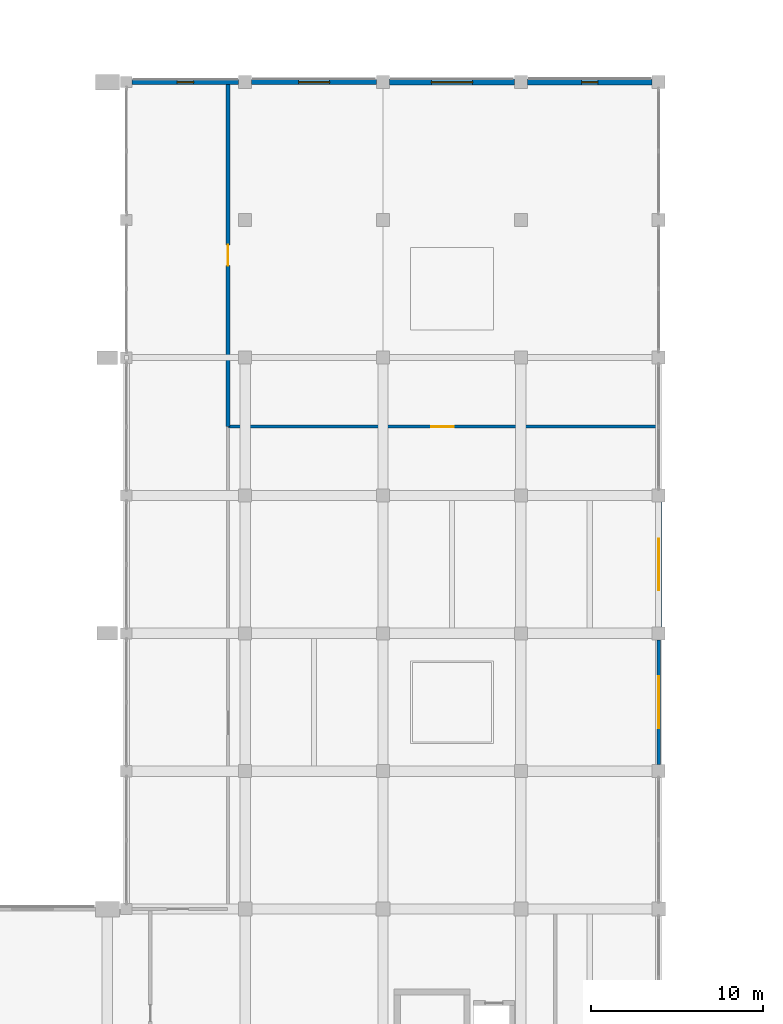
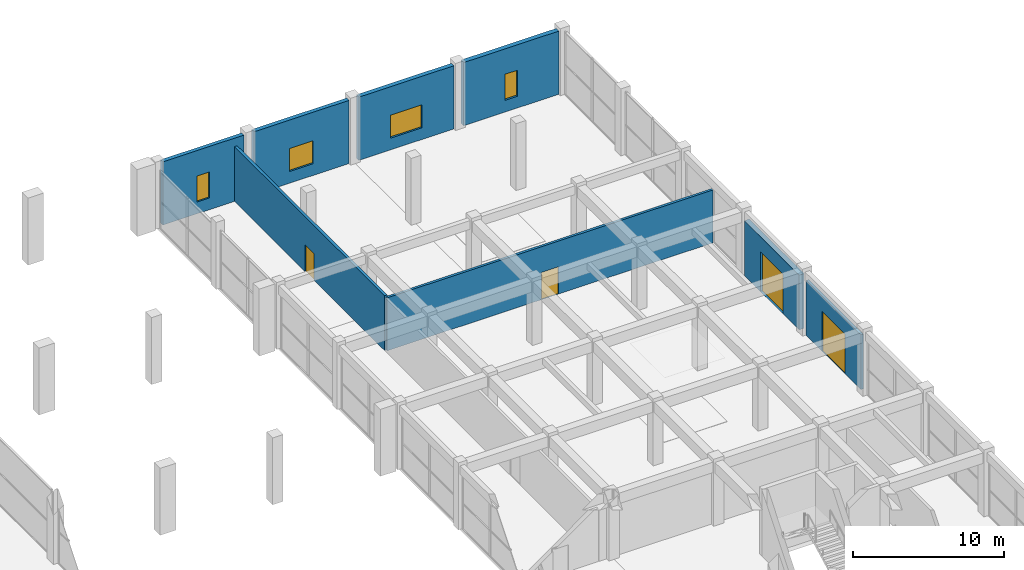
# One storey, part 62 of 86: 8 walls, 4 doors, 4 windows, 8 openings.
"""IFC4 building model written with IfcOpenShell, lengths in metres."""

from ifc_helpers import new_model, si_unit, direction, frame, frame_2d, origin, place, context, subcontext, project, spatial, rectangle, extrude, material, layer, layer_set, type_object, element, fill, save


model = new_model("IFC4")

# Units and contexts
model_context = context("Model", 3, precision=1e-05, world=origin(), true_north=direction((0.0, 1.0)))
body_context = subcontext(model_context, "Body", "Model", "MODEL_VIEW")
ifc_project = project(units=[si_unit("LENGTHUNIT", "METRE"), si_unit("AREAUNIT", "SQUARE_METRE"), si_unit("VOLUMEUNIT", "CUBIC_METRE"), si_unit("PLANEANGLEUNIT", "RADIAN"), si_unit("MASSUNIT", "GRAM", prefix="KILO")], contexts=[model_context])

# Site, building, storey
site_placement = place(None, origin())
site = spatial("IfcSite", under=ifc_project, at=site_placement, CompositionType="ELEMENT")
building_placement = place(site_placement, origin())
building = spatial("IfcBuilding", under=site, at=building_placement, Name="Kenh Van Central Station", CompositionType="ELEMENT")
storey_placement = place(building_placement, origin())
storey = spatial("IfcBuildingStorey", under=building, at=storey_placement, Name="L00", CompositionType="ELEMENT", Elevation=0.0)

# Wall, opening, door
ifc_material_1 = material(Name="Lightweight acoustic masonry blockwork", Category="masonry")
ifc_layer_1 = layer(ifc_material_1, 0.18994140625, Name="Lightweight acoustic masonry blockwork")
ifc_layer_set_1 = layer_set([ifc_layer_1], Name="Lightweight acoustic masonry blockwork")
wall_type_1 = type_object("IfcWallType", Name="WL-COMP-190", PredefinedType="SOLIDWALL", material=ifc_layer_set_1)
wall_1_placement = place(storey_placement, frame((151.02001953125, 92.0, 0.0), z_axis=(0.0, 0.0, 1.0), x_axis=(1.0, 0.0, 0.0)))
wall_1 = element("IfcWall", 1, at=wall_1_placement, inside=storey, type_object=wall_type_1, Name="L00 interior wall 0095", PredefinedType="SOLIDWALL", context=body_context, shape_type="SweptSolid", body=[
    extrude(rectangle(XDim=24.85986328125, YDim=0.18994140625, at=frame_2d((12.429931640625, 0.0))), origin(), (0.0, 0.0, 1.0), 4.27001953125),
])
opening_1_placement = place(wall_1_placement, frame((11.780029296875, 0.0, 0.0)))
opening_1 = element("IfcOpeningElement", 2, at=opening_1_placement, cuts=wall_1, Name="Opening D-FD60P", PredefinedType="OPENING", context=body_context, shape_type="SweptSolid", body=[
    extrude(rectangle(XDim=1.300048828125, YDim=2.199951171875, at=frame_2d((0.64990234375, 1.10009765625))), frame((0.0, 0.10498046875, 0.0), z_axis=(0.0, -1.0, 0.0), x_axis=(1.0, 0.0, 0.0)), (0.0, 0.0, 1.0), 0.2099609375),
])
ifc_material_2 = material(Name="Champagne anodised aluminium", Category="aluminium")
door_type_1 = type_object("IfcDoorType", Name="DR-FIRE-1300x2200", OperationType="NOTDEFINED", PredefinedType="DOOR", material=ifc_material_2)
door_1_placement = place(opening_1_placement, origin())
door_1 = element("IfcDoor", 3, at=door_1_placement, inside=storey, type_object=door_type_1, Name="L00 interior door 0052", OperationType="SINGLE_SWING_LEFT", OverallHeight=2.199951171875, OverallWidth=1.300048828125, PredefinedType="DOOR", context=body_context, shape_type="SweptSolid", body=[
    extrude(rectangle(XDim=1.300048828125, YDim=2.199951171875, at=frame_2d((0.64990234375, 1.10009765625))), frame((0.0, 0.02490234375, 0.0), z_axis=(0.0, -1.0, 0.0), x_axis=(1.0, 0.0, 0.0)), (0.0, 0.0, 1.0), 0.050048828125),
])
fill(opening_1, door_1)

ifc_layer_2 = layer(ifc_material_1, 0.2099609375, Name="Lightweight acoustic masonry blockwork")
ifc_layer_set_2 = layer_set([ifc_layer_2], Name="Lightweight acoustic masonry blockwork")
wall_type_2 = type_object("IfcWallType", Name="WL-COMP-210", PredefinedType="SOLIDWALL", material=ifc_layer_set_2)
wall_2_placement = place(storey_placement, frame((151.0, 92.02001953125, 0.0), z_axis=(0.0, 0.0, 1.0), x_axis=(0.0, 1.0, 0.0)))
wall_2 = element("IfcWall", 4, at=wall_2_placement, inside=storey, type_object=wall_type_2, Name="L00 interior wall 0094", PredefinedType="SOLIDWALL", context=body_context, shape_type="SweptSolid", body=[
    extrude(rectangle(XDim=19.85986328125, YDim=0.2099609375, at=frame_2d((9.929931640625, 0.0))), origin(), (0.0, 0.0, 1.0), 4.419921875),
])
opening_2_placement = place(wall_2_placement, frame((9.330078125, 0.0, 0.0)))
opening_2 = element("IfcOpeningElement", 5, at=opening_2_placement, cuts=wall_2, Name="Opening D-FD60S", PredefinedType="OPENING", context=body_context, shape_type="SweptSolid", body=[
    extrude(rectangle(XDim=1.199951171875, YDim=2.14990234375, at=frame_2d((0.60009765625, 1.074951171875))), frame((0.0, 0.114990234375, 0.0), z_axis=(0.0, -1.0, 0.0), x_axis=(1.0, 0.0, 0.0)), (0.0, 0.0, 1.0), 0.22998046875),
])
door_type_2 = type_object("IfcDoorType", Name="DR-FIRE-1200x2150", OperationType="NOTDEFINED", PredefinedType="DOOR", material=ifc_material_2)
door_2_placement = place(opening_2_placement, origin())
door_2 = element("IfcDoor", 6, at=door_2_placement, inside=storey, type_object=door_type_2, Name="L00 interior door 0051", OperationType="SINGLE_SWING_RIGHT", OverallHeight=2.14990234375, OverallWidth=1.199951171875, PredefinedType="DOOR", context=body_context, shape_type="SweptSolid", body=[
    extrude(rectangle(XDim=1.199951171875, YDim=2.14990234375, at=frame_2d((0.60009765625, 1.074951171875))), frame((0.0, 0.02490234375, 0.0), z_axis=(0.0, -1.0, 0.0), x_axis=(1.0, 0.0, 0.0)), (0.0, 0.0, 1.0), 0.050048828125),
])
fill(opening_2, door_2)

# Wall, opening, window
ifc_material_3 = material(Name="Saigon buff sandstone and terracotta masonry", Category="masonry")
ifc_layer_3 = layer(ifc_material_3, 0.2900390625, Name="Saigon buff sandstone and terracotta masonry")
ifc_layer_set_3 = layer_set([ifc_layer_3], Name="Saigon buff sandstone and terracotta masonry")
wall_type_3 = type_object("IfcWallType", Name="WL-EXT-290", PredefinedType="STANDARD", material=ifc_layer_set_3)
wall_3_placement = place(storey_placement, frame((151.625, 112.0, 0.0), z_axis=(0.0, 0.0, 1.0), x_axis=(-1.0, 0.0, 0.0)))
wall_3 = element("IfcWall", 7, at=wall_3_placement, inside=storey, type_object=wall_type_3, Name="L00 exterior wall 044", PredefinedType="STANDARD", context=body_context, shape_type="SweptSolid", body=[
    extrude(rectangle(XDim=6.199951171875, YDim=0.2900390625, at=frame_2d((3.10009765625, 0.0))), origin(), (0.0, 0.0, 1.0), 5.10009765625),
])
opening_3_placement = place(wall_3_placement, frame((2.625, 0.0, 0.949951171875)))
opening_3 = element("IfcOpeningElement", 8, at=opening_3_placement, cuts=wall_3, Name="Opening WN-24", PredefinedType="OPENING", context=body_context, shape_type="SweptSolid", body=[
    extrude(rectangle(XDim=0.949951171875, YDim=2.10009765625, at=frame_2d((0.47509765625, 1.050048828125))), frame((0.0, 0.155029296875, 0.0), z_axis=(0.0, -1.0, 0.0), x_axis=(1.0, 0.0, 0.0)), (0.0, 0.0, 1.0), 0.31005859375),
])
ifc_material_4 = material(Name="Double-glazed low-E laminated solar glass", Category="glass")
window_type_1 = type_object("IfcWindowType", Name="WN-SLOT-950x2100", PartitioningType="SINGLE_PANEL", PredefinedType="WINDOW", material=ifc_material_4)
window_1_placement = place(opening_3_placement, origin())
window_1 = element("IfcWindow", 9, at=window_1_placement, inside=storey, type_object=window_type_1, Name="L00 window 016", OverallHeight=2.10009765625, OverallWidth=0.949951171875, PartitioningType="SINGLE_PANEL", PredefinedType="WINDOW", context=body_context, shape_type="SweptSolid", body=[
    extrude(rectangle(XDim=0.949951171875, YDim=2.10009765625, at=frame_2d((0.47509765625, 1.050048828125))), frame((0.0, 0.030029296875, 0.0), z_axis=(0.0, -1.0, 0.0), x_axis=(1.0, 0.0, 0.0)), (0.0, 0.0, 1.0), 0.06005859375),
])
fill(opening_3, window_1)

ifc_layer_4 = layer(ifc_material_3, 0.31005859375, Name="Saigon buff sandstone and terracotta masonry")
ifc_layer_set_4 = layer_set([ifc_layer_4], Name="Saigon buff sandstone and terracotta masonry")
wall_type_4 = type_object("IfcWallType", Name="WL-EXT-310", PredefinedType="STANDARD", material=ifc_layer_set_4)
wall_4_placement = place(storey_placement, frame((159.625, 112.0, 0.0), z_axis=(0.0, 0.0, 1.0), x_axis=(-1.0, 0.0, 0.0)))
wall_4 = element("IfcWall", 10, at=wall_4_placement, inside=storey, type_object=wall_type_4, Name="L00 exterior wall 043", PredefinedType="STANDARD", context=body_context, shape_type="SweptSolid", body=[
    extrude(rectangle(XDim=7.25, YDim=0.31005859375, at=frame_2d((3.625, 0.0))), origin(), (0.0, 0.0, 1.0), 5.10009765625),
])
opening_4_placement = place(wall_4_placement, frame((2.72509765625, 0.0, 0.949951171875)))
opening_4 = element("IfcOpeningElement", 11, at=opening_4_placement, cuts=wall_4, Name="Opening WN-13", PredefinedType="OPENING", context=body_context, shape_type="SweptSolid", body=[
    extrude(rectangle(XDim=1.800048828125, YDim=1.85009765625, at=frame_2d((0.89990234375, 0.925048828125))), frame((0.0, 0.1650390625, 0.0), z_axis=(0.0, -1.0, 0.0), x_axis=(1.0, 0.0, 0.0)), (0.0, 0.0, 1.0), 0.330078125),
])
window_type_2 = type_object("IfcWindowType", Name="WN-OP00-1800x1850", PartitioningType="DOUBLE_PANEL_VERTICAL", PredefinedType="WINDOW", material=ifc_material_4)
window_2_placement = place(opening_4_placement, origin())
window_2 = element("IfcWindow", 12, at=window_2_placement, inside=storey, type_object=window_type_2, Name="L00 window 015", OverallHeight=1.85009765625, OverallWidth=1.800048828125, PartitioningType="SINGLE_PANEL", PredefinedType="WINDOW", context=body_context, shape_type="SweptSolid", body=[
    extrude(rectangle(XDim=1.800048828125, YDim=1.85009765625, at=frame_2d((0.89990234375, 0.925048828125))), frame((0.0, 0.030029296875, 0.0), z_axis=(0.0, -1.0, 0.0), x_axis=(1.0, 0.0, 0.0)), (0.0, 0.0, 1.0), 0.06005859375),
])
fill(opening_4, window_2)

ifc_layer_5 = layer(ifc_material_3, 0.330078125, Name="Saigon buff sandstone and terracotta masonry")
ifc_layer_set_5 = layer_set([ifc_layer_5], Name="Saigon buff sandstone and terracotta masonry")
wall_type_5 = type_object("IfcWallType", Name="WL-EXT-330", PredefinedType="STANDARD", material=ifc_layer_set_5)
wall_5_placement = place(storey_placement, frame((167.625, 112.0, 0.0), z_axis=(0.0, 0.0, 1.0), x_axis=(-1.0, 0.0, 0.0)))
wall_5 = element("IfcWall", 13, at=wall_5_placement, inside=storey, type_object=wall_type_5, Name="L00 exterior wall 042", PredefinedType="STANDARD", context=body_context, shape_type="SweptSolid", body=[
    extrude(rectangle(XDim=7.25, YDim=0.330078125, at=frame_2d((3.625, 0.0))), origin(), (0.0, 0.0, 1.0), 5.10009765625),
])
opening_5_placement = place(wall_5_placement, frame((2.425048828125, 0.0, 0.949951171875)))
opening_5 = element("IfcOpeningElement", 14, at=opening_5_placement, cuts=wall_5, Name="Opening WN-12", PredefinedType="OPENING", context=body_context, shape_type="SweptSolid", body=[
    extrude(rectangle(XDim=2.39990234375, YDim=1.85009765625, at=frame_2d((1.199951171875, 0.925048828125))), frame((0.0, 0.175048828125, 0.0), z_axis=(0.0, -1.0, 0.0), x_axis=(1.0, 0.0, 0.0)), (0.0, 0.0, 1.0), 0.35009765625),
])
window_type_3 = type_object("IfcWindowType", Name="WN-OP00-2400x1850", PartitioningType="DOUBLE_PANEL_VERTICAL", PredefinedType="WINDOW", material=ifc_material_4)
window_3_placement = place(opening_5_placement, origin())
window_3 = element("IfcWindow", 15, at=window_3_placement, inside=storey, type_object=window_type_3, Name="L00 window 014", OverallHeight=1.85009765625, OverallWidth=2.39990234375, PartitioningType="SINGLE_PANEL", PredefinedType="WINDOW", context=body_context, shape_type="SweptSolid", body=[
    extrude(rectangle(XDim=2.39990234375, YDim=1.85009765625, at=frame_2d((1.199951171875, 0.925048828125))), frame((0.0, 0.030029296875, 0.0), z_axis=(0.0, -1.0, 0.0), x_axis=(1.0, 0.0, 0.0)), (0.0, 0.0, 1.0), 0.06005859375),
])
fill(opening_5, window_3)

ifc_layer_6 = layer(ifc_material_3, 0.35009765625, Name="Saigon buff sandstone and terracotta masonry")
ifc_layer_set_6 = layer_set([ifc_layer_6], Name="Saigon buff sandstone and terracotta masonry")
wall_type_6 = type_object("IfcWallType", Name="WL-EXT-350", PredefinedType="STANDARD", material=ifc_layer_set_6)
wall_6_placement = place(storey_placement, frame((175.625, 112.0, 0.0), z_axis=(0.0, 0.0, 1.0), x_axis=(-1.0, 0.0, 0.0)))
wall_6 = element("IfcWall", 16, at=wall_6_placement, inside=storey, type_object=wall_type_6, Name="L00 exterior wall 041", PredefinedType="STANDARD", context=body_context, shape_type="SweptSolid", body=[
    extrude(rectangle(XDim=7.25, YDim=0.35009765625, at=frame_2d((3.625, 0.0))), origin(), (0.0, 0.0, 1.0), 5.10009765625),
])
opening_6_placement = place(wall_6_placement, frame((3.14990234375, 0.0, 0.949951171875)))
opening_6 = element("IfcOpeningElement", 17, at=opening_6_placement, cuts=wall_6, Name="Opening WN-24", PredefinedType="OPENING", context=body_context, shape_type="SweptSolid", body=[
    extrude(rectangle(XDim=0.949951171875, YDim=2.10009765625, at=frame_2d((0.47509765625, 1.050048828125))), frame((0.0, 0.18505859375, 0.0), z_axis=(0.0, -1.0, 0.0), x_axis=(1.0, 0.0, 0.0)), (0.0, 0.0, 1.0), 0.3701171875),
])
window_4_placement = place(opening_6_placement, origin())
window_4 = element("IfcWindow", 18, at=window_4_placement, inside=storey, type_object=window_type_1, Name="L00 window 013", OverallHeight=2.10009765625, OverallWidth=0.949951171875, PartitioningType="SINGLE_PANEL", PredefinedType="WINDOW", context=body_context, shape_type="SweptSolid", body=[
    extrude(rectangle(XDim=0.949951171875, YDim=2.10009765625, at=frame_2d((0.47509765625, 1.050048828125))), frame((0.0, 0.030029296875, 0.0), z_axis=(0.0, -1.0, 0.0), x_axis=(1.0, 0.0, 0.0)), (0.0, 0.0, 1.0), 0.06005859375),
])
fill(opening_6, window_4)

# Wall, opening, door
ifc_layer_7 = layer(ifc_material_3, 0.3798828125, Name="Saigon buff sandstone and terracotta masonry")
ifc_layer_set_7 = layer_set([ifc_layer_7], Name="Saigon buff sandstone and terracotta masonry")
wall_type_7 = type_object("IfcWallType", Name="WL-EXT-380", PredefinedType="STANDARD", material=ifc_layer_set_7)
wall_7_placement = place(storey_placement, frame((176.0, 80.375, 0.0), z_axis=(0.0, 0.0, 1.0), x_axis=(0.0, 1.0, 0.0)))
wall_7 = element("IfcWall", 19, at=wall_7_placement, inside=storey, type_object=wall_type_7, Name="L00 exterior wall 040", PredefinedType="STANDARD", context=body_context, shape_type="SweptSolid", body=[
    extrude(rectangle(XDim=7.25, YDim=0.3798828125, at=frame_2d((3.625, 0.0))), origin(), (0.0, 0.0, 1.0), 4.419921875),
])
opening_7_placement = place(wall_7_placement, frame((2.125, 0.0, 0.0)))
opening_7 = element("IfcOpeningElement", 20, at=opening_7_placement, cuts=wall_7, Name="Opening D-EX10", PredefinedType="OPENING", context=body_context, shape_type="SweptSolid", body=[
    extrude(rectangle(XDim=3.0, YDim=3.199951171875, at=frame_2d((1.5, 1.60009765625))), frame((0.0, 0.199951171875, 0.0), z_axis=(0.0, -1.0, 0.0), x_axis=(1.0, 0.0, 0.0)), (0.0, 0.0, 1.0), 0.39990234375),
])
door_type_3 = type_object("IfcDoorType", Name="DR-EXT-3000x3200", OperationType="DOUBLE_DOOR_SINGLE_SWING", PredefinedType="DOOR", material=ifc_material_2)
door_3_placement = place(opening_7_placement, frame((3.0, 0.0, 0.0), z_axis=(0.0, 0.0, 1.0), x_axis=(-1.0, 0.0, 0.0)))
door_3 = element("IfcDoor", 21, at=door_3_placement, inside=storey, type_object=door_type_3, Name="L00 exterior door 028", OperationType="DOUBLE_DOOR_SINGLE_SWING", OverallHeight=3.199951171875, OverallWidth=3.0, PredefinedType="DOOR", context=body_context, shape_type="SweptSolid", body=[
    extrude(rectangle(XDim=3.0, YDim=3.199951171875, at=frame_2d((-1.5, 1.60009765625))), frame((0.0, -0.02490234375, 0.0), z_axis=(0.0, 1.0, 0.0), x_axis=(-1.0, 0.0, 0.0)), (0.0, 0.0, 1.0), 0.050048828125),
])
fill(opening_7, door_3)

ifc_material_5 = material(Name="Glazed terracotta architectural masonry", Category="masonry")
ifc_layer_8 = layer(ifc_material_5, 0.195068359375, Name="Glazed terracotta architectural masonry")
ifc_layer_set_8 = layer_set([ifc_layer_8], Name="Glazed terracotta architectural masonry")
wall_type_8 = type_object("IfcWallType", Name="WL-SLD-195", PredefinedType="SOLIDWALL", material=ifc_layer_set_8)
wall_8_placement = place(storey_placement, frame((176.0, 72.375, 0.0), z_axis=(0.0, 0.0, 1.0), x_axis=(0.0, 1.0, 0.0)))
wall_8 = element("IfcWall", 22, at=wall_8_placement, inside=storey, type_object=wall_type_8, Name="L00 exterior wall 039", PredefinedType="SOLIDWALL", context=body_context, shape_type="SweptSolid", body=[
    extrude(rectangle(XDim=7.25, YDim=0.195068359375, at=frame_2d((3.625, 0.0))), origin(), (0.0, 0.0, 1.0), 4.419921875),
])
opening_8_placement = place(wall_8_placement, frame((2.125, 0.0, 0.0)))
opening_8 = element("IfcOpeningElement", 23, at=opening_8_placement, cuts=wall_8, Name="Opening D-EX10", PredefinedType="OPENING", context=body_context, shape_type="SweptSolid", body=[
    extrude(rectangle(XDim=3.0, YDim=3.199951171875, at=frame_2d((1.5, 1.60009765625))), frame((0.0, 0.107421875, 0.0), z_axis=(0.0, -1.0, 0.0), x_axis=(1.0, 0.0, 0.0)), (0.0, 0.0, 1.0), 0.215087890625),
])
door_4_placement = place(opening_8_placement, frame((3.0, 0.0, 0.0), z_axis=(0.0, 0.0, 1.0), x_axis=(-1.0, 0.0, 0.0)))
door_4 = element("IfcDoor", 24, at=door_4_placement, inside=storey, type_object=door_type_3, Name="L00 exterior door 027", OperationType="DOUBLE_DOOR_SINGLE_SWING", OverallHeight=3.199951171875, OverallWidth=3.0, PredefinedType="DOOR", context=body_context, shape_type="SweptSolid", body=[
    extrude(rectangle(XDim=3.0, YDim=3.199951171875, at=frame_2d((-1.5, 1.60009765625))), frame((0.0, -0.02490234375, 0.0), z_axis=(0.0, 1.0, 0.0), x_axis=(-1.0, 0.0, 0.0)), (0.0, 0.0, 1.0), 0.050048828125),
])
fill(opening_8, door_4)

save(model, "model.ifc")
